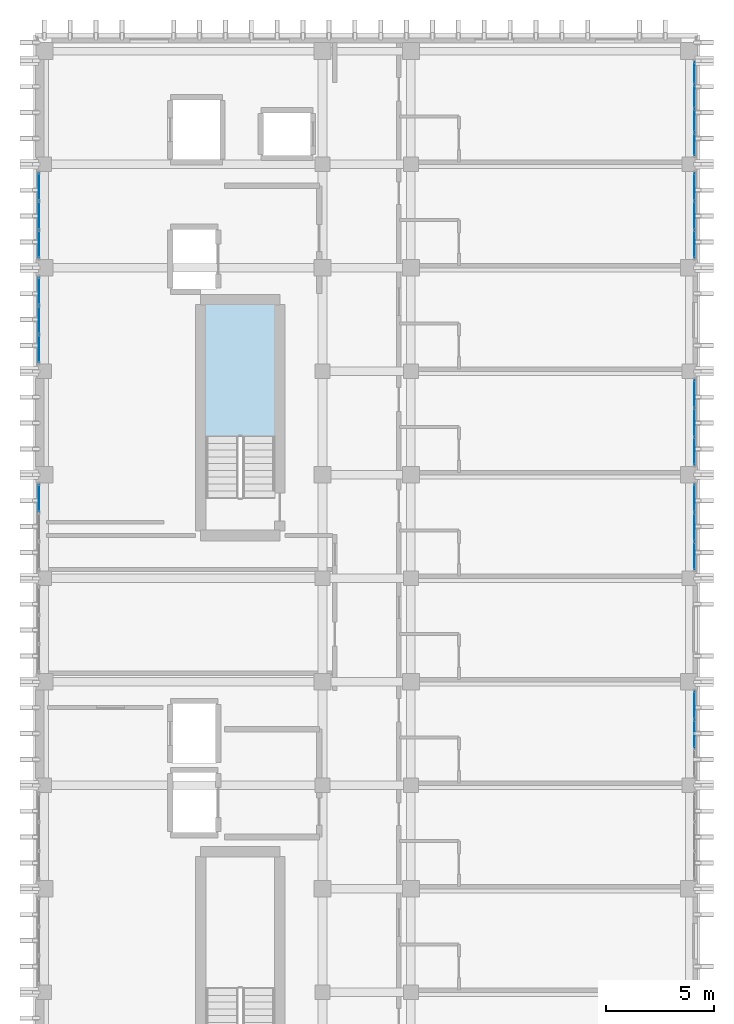
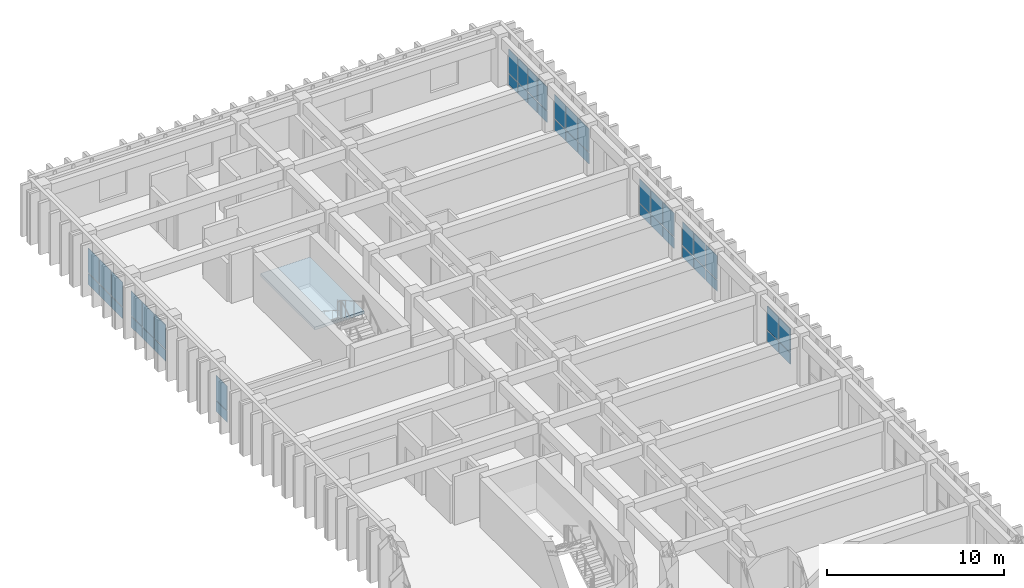
# One storey, part 54 of 68: 44 plates, 1 slab, 9 elements without a shape of their own.
"""IFC4 building model written with IfcOpenShell, lengths in metres."""

from ifc_helpers import new_model, si_unit, direction, frame, origin, origin_2d, place, context, subcontext, project, spatial, polyline, rectangle, outline, extrude, material, layer, layer_set, type_object, element, aggregate, save


model = new_model("IFC4")

# Units and contexts
model_context = context("Model", 3, precision=1e-05, world=origin(), true_north=direction((0.0, 1.0)))
body_context = subcontext(model_context, "Body", "Model", "MODEL_VIEW")
ifc_project = project(units=[si_unit("LENGTHUNIT", "METRE"), si_unit("AREAUNIT", "SQUARE_METRE"), si_unit("VOLUMEUNIT", "CUBIC_METRE"), si_unit("PLANEANGLEUNIT", "RADIAN"), si_unit("MASSUNIT", "GRAM", prefix="KILO")], contexts=[model_context])

# Site, building, storey
site_placement = place(None, origin())
site = spatial("IfcSite", under=ifc_project, at=site_placement, CompositionType="ELEMENT")
building_placement = place(site_placement, origin())
building = spatial("IfcBuilding", under=site, at=building_placement, Name="Nakhvara Creek Congress Hotel", CompositionType="ELEMENT")
storey_placement = place(building_placement, frame((0.0, 0.0, 24.60009765625)))
storey = spatial("IfcBuildingStorey", under=building, at=storey_placement, Name="L05", CompositionType="ELEMENT", Elevation=24.60009765625)

# Curtain wall, plates
ifc_material_1 = material(Name="Bronze-anodised aluminium AW-6063-T6 and double-silver low-E glass", Category="aluminium")
ifc_layer_1 = layer(ifc_material_1, 0.199951171875)
ifc_layer_set_1 = layer_set([ifc_layer_1], Name="Bronze-anodised aluminium AW-6063-T6 and double-silver low-E glass")
curtain_wall_type = type_object("IfcCurtainWallType", Name="CW-HTL-UNIT", PredefinedType="USERDEFINED", material=ifc_layer_set_1)
curtain_wall_1_placement = place(storey_placement, origin())
curtain_wall_1 = element("IfcCurtainWall", 1, at=curtain_wall_1_placement, inside=storey, type_object=curtain_wall_type, Name="Curtain Wall CW222", ObjectType="UNITISED", PredefinedType="USERDEFINED")
ifc_material_2 = material(Name="Double-silver solar-control low-E insulated glass", Category="glass")
plate_type_1 = type_object("IfcPlateType", Name="PNL-GLZ-120X250", PredefinedType="CURTAIN_PANEL", material=ifc_material_2)
plate_1_placement = place(storey_placement, frame((179.60009765625, 104.50537109375, 0.06494140625), z_axis=(0.0, 0.0, 1.0), x_axis=(0.0, -1.0, 0.0)))
plate_1 = element("IfcPlate", 2, at=plate_1_placement, type_object=plate_type_1, Name="CW222 panel 1.1", PredefinedType="CURTAIN_PANEL", context=body_context, shape_type="SweptSolid", body=[
    extrude(rectangle(XDim=1.249267578125, YDim=0.028076171875, at=origin_2d()), origin(), (0.0, 0.0, 1.0), 0.75244140625),
])
plate_2_placement = place(storey_placement, frame((179.60009765625, 104.50537109375, 0.88232421875), z_axis=(0.0, 0.0, 1.0), x_axis=(0.0, -1.0, 0.0)))
plate_2 = element("IfcPlate", 3, at=plate_2_placement, type_object=plate_type_1, Name="CW222 panel 1.2", PredefinedType="CURTAIN_PANEL", context=body_context, shape_type="SweptSolid", body=[
    extrude(rectangle(XDim=1.249267578125, YDim=0.028076171875, at=origin_2d()), origin(), (0.0, 0.0, 1.0), 1.634521484375),
])
plate_3_placement = place(storey_placement, frame((179.60009765625, 103.175048828125, 0.06494140625), z_axis=(0.0, 0.0, 1.0), x_axis=(0.0, -1.0, 0.0)))
plate_3 = element("IfcPlate", 4, at=plate_3_placement, type_object=plate_type_1, Name="CW222 panel 2.1", PredefinedType="CURTAIN_PANEL", context=body_context, shape_type="SweptSolid", body=[
    extrude(rectangle(XDim=1.28173828125, YDim=0.028076171875, at=origin_2d()), origin(), (0.0, 0.0, 1.0), 0.75244140625),
])
plate_4_placement = place(storey_placement, frame((179.60009765625, 103.175048828125, 0.88232421875), z_axis=(0.0, 0.0, 1.0), x_axis=(0.0, -1.0, 0.0)))
plate_4 = element("IfcPlate", 5, at=plate_4_placement, type_object=plate_type_1, Name="CW222 panel 2.2", PredefinedType="CURTAIN_PANEL", context=body_context, shape_type="SweptSolid", body=[
    extrude(rectangle(XDim=1.28173828125, YDim=0.028076171875, at=origin_2d()), origin(), (0.0, 0.0, 1.0), 1.634521484375),
])
plate_5_placement = place(storey_placement, frame((179.60009765625, 101.844482421875, 0.06494140625), z_axis=(0.0, 0.0, 1.0), x_axis=(0.0, -1.0, 0.0)))
plate_5 = element("IfcPlate", 6, at=plate_5_placement, type_object=plate_type_1, Name="CW222 panel 3.1", PredefinedType="CURTAIN_PANEL", context=body_context, shape_type="SweptSolid", body=[
    extrude(rectangle(XDim=1.249267578125, YDim=0.028076171875, at=origin_2d()), origin(), (0.0, 0.0, 1.0), 0.75244140625),
])
plate_6_placement = place(storey_placement, frame((179.60009765625, 101.844482421875, 0.88232421875), z_axis=(0.0, 0.0, 1.0), x_axis=(0.0, -1.0, 0.0)))
plate_6 = element("IfcPlate", 7, at=plate_6_placement, type_object=plate_type_1, Name="CW222 panel 3.2", PredefinedType="CURTAIN_PANEL", context=body_context, shape_type="SweptSolid", body=[
    extrude(rectangle(XDim=1.249267578125, YDim=0.028076171875, at=origin_2d()), origin(), (0.0, 0.0, 1.0), 1.634521484375),
])
aggregate(curtain_wall_1, [plate_1, plate_2, plate_3, plate_4, plate_5, plate_6])

curtain_wall_2_placement = place(storey_placement, origin())
curtain_wall_2 = element("IfcCurtainWall", 8, at=curtain_wall_2_placement, inside=storey, type_object=curtain_wall_type, Name="Curtain Wall CW223", ObjectType="UNITISED", PredefinedType="USERDEFINED")
plate_7_placement = place(storey_placement, frame((149.199951171875, 104.50537109375, 0.06494140625), z_axis=(0.0, 0.0, 1.0), x_axis=(0.0, 1.0, 0.0)))
plate_7 = element("IfcPlate", 9, at=plate_7_placement, type_object=plate_type_1, Name="CW223 panel 3.1", PredefinedType="CURTAIN_PANEL", context=body_context, shape_type="SweptSolid", body=[
    extrude(rectangle(XDim=1.249267578125, YDim=0.028076171875, at=origin_2d()), origin(), (0.0, 0.0, 1.0), 0.75244140625),
])
plate_8_placement = place(storey_placement, frame((149.199951171875, 104.50537109375, 0.88232421875), z_axis=(0.0, 0.0, 1.0), x_axis=(0.0, 1.0, 0.0)))
plate_8 = element("IfcPlate", 10, at=plate_8_placement, type_object=plate_type_1, Name="CW223 panel 3.2", PredefinedType="CURTAIN_PANEL", context=body_context, shape_type="SweptSolid", body=[
    extrude(rectangle(XDim=1.249267578125, YDim=0.028076171875, at=origin_2d()), origin(), (0.0, 0.0, 1.0), 1.6845703125),
])
aggregate(curtain_wall_2, [plate_7, plate_8])

curtain_wall_3_placement = place(storey_placement, origin())
curtain_wall_3 = element("IfcCurtainWall", 11, at=curtain_wall_3_placement, inside=storey, type_object=curtain_wall_type, Name="Curtain Wall CW224", ObjectType="UNITISED", PredefinedType="USERDEFINED")
plate_9_placement = place(storey_placement, frame((179.60009765625, 109.35546875, 0.06494140625), z_axis=(0.0, 0.0, 1.0), x_axis=(0.0, -1.0, 0.0)))
plate_9 = element("IfcPlate", 12, at=plate_9_placement, type_object=plate_type_1, Name="CW224 panel 1.1", PredefinedType="CURTAIN_PANEL", context=body_context, shape_type="SweptSolid", body=[
    extrude(rectangle(XDim=1.249267578125, YDim=0.028076171875, at=origin_2d()), origin(), (0.0, 0.0, 1.0), 0.75244140625),
])
plate_10_placement = place(storey_placement, frame((179.60009765625, 109.35546875, 0.88232421875), z_axis=(0.0, 0.0, 1.0), x_axis=(0.0, -1.0, 0.0)))
plate_10 = element("IfcPlate", 13, at=plate_10_placement, type_object=plate_type_1, Name="CW224 panel 1.2", PredefinedType="CURTAIN_PANEL", context=body_context, shape_type="SweptSolid", body=[
    extrude(rectangle(XDim=1.249267578125, YDim=0.028076171875, at=origin_2d()), origin(), (0.0, 0.0, 1.0), 1.634521484375),
])
plate_11_placement = place(storey_placement, frame((179.60009765625, 108.02490234375, 0.06494140625), z_axis=(0.0, 0.0, 1.0), x_axis=(0.0, -1.0, 0.0)))
plate_11 = element("IfcPlate", 14, at=plate_11_placement, type_object=plate_type_1, Name="CW224 panel 2.1", PredefinedType="CURTAIN_PANEL", context=body_context, shape_type="SweptSolid", body=[
    extrude(rectangle(XDim=1.28173828125, YDim=0.028076171875, at=origin_2d()), origin(), (0.0, 0.0, 1.0), 0.75244140625),
])
plate_12_placement = place(storey_placement, frame((179.60009765625, 108.02490234375, 0.88232421875), z_axis=(0.0, 0.0, 1.0), x_axis=(0.0, -1.0, 0.0)))
plate_12 = element("IfcPlate", 15, at=plate_12_placement, type_object=plate_type_1, Name="CW224 panel 2.2", PredefinedType="CURTAIN_PANEL", context=body_context, shape_type="SweptSolid", body=[
    extrude(rectangle(XDim=1.28173828125, YDim=0.028076171875, at=origin_2d()), origin(), (0.0, 0.0, 1.0), 1.634521484375),
])
plate_13_placement = place(storey_placement, frame((179.60009765625, 106.694580078125, 0.06494140625), z_axis=(0.0, 0.0, 1.0), x_axis=(0.0, -1.0, 0.0)))
plate_13 = element("IfcPlate", 16, at=plate_13_placement, type_object=plate_type_1, Name="CW224 panel 3.1", PredefinedType="CURTAIN_PANEL", context=body_context, shape_type="SweptSolid", body=[
    extrude(rectangle(XDim=1.249267578125, YDim=0.028076171875, at=origin_2d()), origin(), (0.0, 0.0, 1.0), 0.75244140625),
])
plate_14_placement = place(storey_placement, frame((179.60009765625, 106.694580078125, 0.88232421875), z_axis=(0.0, 0.0, 1.0), x_axis=(0.0, -1.0, 0.0)))
plate_14 = element("IfcPlate", 17, at=plate_14_placement, type_object=plate_type_1, Name="CW224 panel 3.2", PredefinedType="CURTAIN_PANEL", context=body_context, shape_type="SweptSolid", body=[
    extrude(rectangle(XDim=1.249267578125, YDim=0.028076171875, at=origin_2d()), origin(), (0.0, 0.0, 1.0), 1.634521484375),
])
aggregate(curtain_wall_3, [plate_9, plate_10, plate_11, plate_12, plate_13, plate_14])

curtain_wall_4_placement = place(storey_placement, origin())
curtain_wall_4 = element("IfcCurtainWall", 18, at=curtain_wall_4_placement, inside=storey, type_object=curtain_wall_type, Name="Curtain Wall CW225", ObjectType="UNITISED", PredefinedType="USERDEFINED")
plate_15_placement = place(storey_placement, frame((149.199951171875, 111.444580078125, 0.06494140625), z_axis=(0.0, 0.0, 1.0), x_axis=(0.0, 1.0, 0.0)))
plate_15 = element("IfcPlate", 19, at=plate_15_placement, type_object=plate_type_1, Name="CW225 panel 1.1", PredefinedType="CURTAIN_PANEL", context=body_context, shape_type="SweptSolid", body=[
    extrude(rectangle(XDim=1.249267578125, YDim=0.028076171875, at=origin_2d()), origin(), (0.0, 0.0, 1.0), 0.75244140625),
])
plate_16_placement = place(storey_placement, frame((149.199951171875, 111.444580078125, 0.88232421875), z_axis=(0.0, 0.0, 1.0), x_axis=(0.0, 1.0, 0.0)))
plate_16 = element("IfcPlate", 20, at=plate_16_placement, type_object=plate_type_1, Name="CW225 panel 1.2", PredefinedType="CURTAIN_PANEL", context=body_context, shape_type="SweptSolid", body=[
    extrude(rectangle(XDim=1.249267578125, YDim=0.028076171875, at=origin_2d()), origin(), (0.0, 0.0, 1.0), 1.6845703125),
])
plate_17_placement = place(storey_placement, frame((149.199951171875, 112.77490234375, 0.06494140625), z_axis=(0.0, 0.0, 1.0), x_axis=(0.0, 1.0, 0.0)))
plate_17 = element("IfcPlate", 21, at=plate_17_placement, type_object=plate_type_1, Name="CW225 panel 2.1", PredefinedType="CURTAIN_PANEL", context=body_context, shape_type="SweptSolid", body=[
    extrude(rectangle(XDim=1.28173828125, YDim=0.028076171875, at=origin_2d()), origin(), (0.0, 0.0, 1.0), 0.75244140625),
])
plate_18_placement = place(storey_placement, frame((149.199951171875, 112.77490234375, 0.88232421875), z_axis=(0.0, 0.0, 1.0), x_axis=(0.0, 1.0, 0.0)))
plate_18 = element("IfcPlate", 22, at=plate_18_placement, type_object=plate_type_1, Name="CW225 panel 2.2", PredefinedType="CURTAIN_PANEL", context=body_context, shape_type="SweptSolid", body=[
    extrude(rectangle(XDim=1.28173828125, YDim=0.028076171875, at=origin_2d()), origin(), (0.0, 0.0, 1.0), 1.6845703125),
])
plate_19_placement = place(storey_placement, frame((149.199951171875, 114.10546875, 0.06494140625), z_axis=(0.0, 0.0, 1.0), x_axis=(0.0, 1.0, 0.0)))
plate_19 = element("IfcPlate", 23, at=plate_19_placement, type_object=plate_type_1, Name="CW225 panel 3.1", PredefinedType="CURTAIN_PANEL", context=body_context, shape_type="SweptSolid", body=[
    extrude(rectangle(XDim=1.249267578125, YDim=0.028076171875, at=origin_2d()), origin(), (0.0, 0.0, 1.0), 0.75244140625),
])
plate_20_placement = place(storey_placement, frame((149.199951171875, 114.10546875, 0.88232421875), z_axis=(0.0, 0.0, 1.0), x_axis=(0.0, 1.0, 0.0)))
plate_20 = element("IfcPlate", 24, at=plate_20_placement, type_object=plate_type_1, Name="CW225 panel 3.2", PredefinedType="CURTAIN_PANEL", context=body_context, shape_type="SweptSolid", body=[
    extrude(rectangle(XDim=1.249267578125, YDim=0.028076171875, at=origin_2d()), origin(), (0.0, 0.0, 1.0), 1.6845703125),
])
aggregate(curtain_wall_4, [plate_15, plate_16, plate_17, plate_18, plate_19, plate_20])

curtain_wall_5_placement = place(storey_placement, origin())
curtain_wall_5 = element("IfcCurtainWall", 25, at=curtain_wall_5_placement, inside=storey, type_object=curtain_wall_type, Name="Curtain Wall CW226", ObjectType="UNITISED", PredefinedType="USERDEFINED")
plate_21_placement = place(storey_placement, frame((179.60009765625, 118.955322265625, 0.06494140625), z_axis=(0.0, 0.0, 1.0), x_axis=(0.0, -1.0, 0.0)))
plate_21 = element("IfcPlate", 26, at=plate_21_placement, type_object=plate_type_1, Name="CW226 panel 1.1", PredefinedType="CURTAIN_PANEL", context=body_context, shape_type="SweptSolid", body=[
    extrude(rectangle(XDim=1.249267578125, YDim=0.028076171875, at=origin_2d()), origin(), (0.0, 0.0, 1.0), 0.75244140625),
])
plate_22_placement = place(storey_placement, frame((179.60009765625, 118.955322265625, 0.88232421875), z_axis=(0.0, 0.0, 1.0), x_axis=(0.0, -1.0, 0.0)))
plate_22 = element("IfcPlate", 27, at=plate_22_placement, type_object=plate_type_1, Name="CW226 panel 1.2", PredefinedType="CURTAIN_PANEL", context=body_context, shape_type="SweptSolid", body=[
    extrude(rectangle(XDim=1.249267578125, YDim=0.028076171875, at=origin_2d()), origin(), (0.0, 0.0, 1.0), 1.634521484375),
])
plate_23_placement = place(storey_placement, frame((179.60009765625, 117.625, 0.06494140625), z_axis=(0.0, 0.0, 1.0), x_axis=(0.0, -1.0, 0.0)))
plate_23 = element("IfcPlate", 28, at=plate_23_placement, type_object=plate_type_1, Name="CW226 panel 2.1", PredefinedType="CURTAIN_PANEL", context=body_context, shape_type="SweptSolid", body=[
    extrude(rectangle(XDim=1.28173828125, YDim=0.028076171875, at=origin_2d()), origin(), (0.0, 0.0, 1.0), 0.75244140625),
])
plate_24_placement = place(storey_placement, frame((179.60009765625, 117.625, 0.88232421875), z_axis=(0.0, 0.0, 1.0), x_axis=(0.0, -1.0, 0.0)))
plate_24 = element("IfcPlate", 29, at=plate_24_placement, type_object=plate_type_1, Name="CW226 panel 2.2", PredefinedType="CURTAIN_PANEL", context=body_context, shape_type="SweptSolid", body=[
    extrude(rectangle(XDim=1.28173828125, YDim=0.028076171875, at=origin_2d()), origin(), (0.0, 0.0, 1.0), 1.634521484375),
])
plate_25_placement = place(storey_placement, frame((179.60009765625, 116.294677734375, 0.06494140625), z_axis=(0.0, 0.0, 1.0), x_axis=(0.0, -1.0, 0.0)))
plate_25 = element("IfcPlate", 30, at=plate_25_placement, type_object=plate_type_1, Name="CW226 panel 3.1", PredefinedType="CURTAIN_PANEL", context=body_context, shape_type="SweptSolid", body=[
    extrude(rectangle(XDim=1.249267578125, YDim=0.028076171875, at=origin_2d()), origin(), (0.0, 0.0, 1.0), 0.75244140625),
])
plate_26_placement = place(storey_placement, frame((179.60009765625, 116.294677734375, 0.88232421875), z_axis=(0.0, 0.0, 1.0), x_axis=(0.0, -1.0, 0.0)))
plate_26 = element("IfcPlate", 31, at=plate_26_placement, type_object=plate_type_1, Name="CW226 panel 3.2", PredefinedType="CURTAIN_PANEL", context=body_context, shape_type="SweptSolid", body=[
    extrude(rectangle(XDim=1.249267578125, YDim=0.028076171875, at=origin_2d()), origin(), (0.0, 0.0, 1.0), 1.634521484375),
])
aggregate(curtain_wall_5, [plate_21, plate_22, plate_23, plate_24, plate_25, plate_26])

curtain_wall_6_placement = place(storey_placement, origin())
curtain_wall_6 = element("IfcCurtainWall", 32, at=curtain_wall_6_placement, inside=storey, type_object=curtain_wall_type, Name="Curtain Wall CW227", ObjectType="UNITISED", PredefinedType="USERDEFINED")
plate_27_placement = place(storey_placement, frame((149.199951171875, 116.294677734375, 0.06494140625), z_axis=(0.0, 0.0, 1.0), x_axis=(0.0, 1.0, 0.0)))
plate_27 = element("IfcPlate", 33, at=plate_27_placement, type_object=plate_type_1, Name="CW227 panel 1.1", PredefinedType="CURTAIN_PANEL", context=body_context, shape_type="SweptSolid", body=[
    extrude(rectangle(XDim=1.249267578125, YDim=0.028076171875, at=origin_2d()), origin(), (0.0, 0.0, 1.0), 0.75244140625),
])
plate_28_placement = place(storey_placement, frame((149.199951171875, 116.294677734375, 0.88232421875), z_axis=(0.0, 0.0, 1.0), x_axis=(0.0, 1.0, 0.0)))
plate_28 = element("IfcPlate", 34, at=plate_28_placement, type_object=plate_type_1, Name="CW227 panel 1.2", PredefinedType="CURTAIN_PANEL", context=body_context, shape_type="SweptSolid", body=[
    extrude(rectangle(XDim=1.249267578125, YDim=0.028076171875, at=origin_2d()), origin(), (0.0, 0.0, 1.0), 1.6845703125),
])
plate_29_placement = place(storey_placement, frame((149.199951171875, 117.625, 0.06494140625), z_axis=(0.0, 0.0, 1.0), x_axis=(0.0, 1.0, 0.0)))
plate_29 = element("IfcPlate", 35, at=plate_29_placement, type_object=plate_type_1, Name="CW227 panel 2.1", PredefinedType="CURTAIN_PANEL", context=body_context, shape_type="SweptSolid", body=[
    extrude(rectangle(XDim=1.28173828125, YDim=0.028076171875, at=origin_2d()), origin(), (0.0, 0.0, 1.0), 0.75244140625),
])
plate_30_placement = place(storey_placement, frame((149.199951171875, 117.625, 0.88232421875), z_axis=(0.0, 0.0, 1.0), x_axis=(0.0, 1.0, 0.0)))
plate_30 = element("IfcPlate", 36, at=plate_30_placement, type_object=plate_type_1, Name="CW227 panel 2.2", PredefinedType="CURTAIN_PANEL", context=body_context, shape_type="SweptSolid", body=[
    extrude(rectangle(XDim=1.28173828125, YDim=0.028076171875, at=origin_2d()), origin(), (0.0, 0.0, 1.0), 1.6845703125),
])
plate_31_placement = place(storey_placement, frame((149.199951171875, 118.955322265625, 0.06494140625), z_axis=(0.0, 0.0, 1.0), x_axis=(0.0, 1.0, 0.0)))
plate_31 = element("IfcPlate", 37, at=plate_31_placement, type_object=plate_type_1, Name="CW227 panel 3.1", PredefinedType="CURTAIN_PANEL", context=body_context, shape_type="SweptSolid", body=[
    extrude(rectangle(XDim=1.249267578125, YDim=0.028076171875, at=origin_2d()), origin(), (0.0, 0.0, 1.0), 0.75244140625),
])
plate_32_placement = place(storey_placement, frame((149.199951171875, 118.955322265625, 0.88232421875), z_axis=(0.0, 0.0, 1.0), x_axis=(0.0, 1.0, 0.0)))
plate_32 = element("IfcPlate", 38, at=plate_32_placement, type_object=plate_type_1, Name="CW227 panel 3.2", PredefinedType="CURTAIN_PANEL", context=body_context, shape_type="SweptSolid", body=[
    extrude(rectangle(XDim=1.249267578125, YDim=0.028076171875, at=origin_2d()), origin(), (0.0, 0.0, 1.0), 1.6845703125),
])
aggregate(curtain_wall_6, [plate_27, plate_28, plate_29, plate_30, plate_31, plate_32])

curtain_wall_7_placement = place(storey_placement, origin())
curtain_wall_7 = element("IfcCurtainWall", 39, at=curtain_wall_7_placement, inside=storey, type_object=curtain_wall_type, Name="Curtain Wall CW220", ObjectType="UNITISED", PredefinedType="USERDEFINED")
ifc_material_3 = material(Name="Back-insulated bronze spandrel glass panel", Category="glass")
plate_type_2 = type_object("IfcPlateType", Name="PNL-SPN-120X080", PredefinedType="CURTAIN_PANEL", material=ifc_material_3)
plate_33_placement = place(storey_placement, frame((179.60009765625, 94.905517578125, 0.06494140625), z_axis=(0.0, 0.0, 1.0), x_axis=(0.0, -1.0, 0.0)))
plate_33 = element("IfcPlate", 40, at=plate_33_placement, type_object=plate_type_2, Name="CW220 panel 1.1", PredefinedType="CURTAIN_PANEL", context=body_context, shape_type="SweptSolid", body=[
    extrude(rectangle(XDim=1.249267578125, YDim=0.0419921875, at=origin_2d()), origin(), (0.0, 0.0, 1.0), 0.75244140625),
])
plate_34_placement = place(storey_placement, frame((179.60009765625, 94.905517578125, 0.88232421875), z_axis=(0.0, 0.0, 1.0), x_axis=(0.0, -1.0, 0.0)))
plate_34 = element("IfcPlate", 41, at=plate_34_placement, type_object=plate_type_2, Name="CW220 panel 1.2", PredefinedType="CURTAIN_PANEL", context=body_context, shape_type="SweptSolid", body=[
    extrude(rectangle(XDim=1.249267578125, YDim=0.0419921875, at=origin_2d()), origin(), (0.0, 0.0, 1.0), 1.634521484375),
])
plate_35_placement = place(storey_placement, frame((179.60009765625, 93.574951171875, 0.06494140625), z_axis=(0.0, 0.0, 1.0), x_axis=(0.0, -1.0, 0.0)))
plate_35 = element("IfcPlate", 42, at=plate_35_placement, type_object=plate_type_2, Name="CW220 panel 2.1", PredefinedType="CURTAIN_PANEL", context=body_context, shape_type="SweptSolid", body=[
    extrude(rectangle(XDim=1.28173828125, YDim=0.0419921875, at=origin_2d()), origin(), (0.0, 0.0, 1.0), 0.75244140625),
])
plate_36_placement = place(storey_placement, frame((179.60009765625, 93.574951171875, 0.88232421875), z_axis=(0.0, 0.0, 1.0), x_axis=(0.0, -1.0, 0.0)))
plate_36 = element("IfcPlate", 43, at=plate_36_placement, type_object=plate_type_2, Name="CW220 panel 2.2", PredefinedType="CURTAIN_PANEL", context=body_context, shape_type="SweptSolid", body=[
    extrude(rectangle(XDim=1.28173828125, YDim=0.0419921875, at=origin_2d()), origin(), (0.0, 0.0, 1.0), 1.634521484375),
])
aggregate(curtain_wall_7, [plate_33, plate_34, plate_35, plate_36])

curtain_wall_8_placement = place(storey_placement, origin())
curtain_wall_8 = element("IfcCurtainWall", 44, at=curtain_wall_8_placement, inside=storey, type_object=curtain_wall_type, Name="Curtain Wall CW228", ObjectType="UNITISED", PredefinedType="USERDEFINED")
plate_37_placement = place(storey_placement, frame((179.60009765625, 124.22802734375, 0.06494140625), z_axis=(0.0, 0.0, 1.0), x_axis=(0.0, -1.0, 0.0)))
plate_37 = element("IfcPlate", 45, at=plate_37_placement, type_object=plate_type_2, Name="CW228 panel 1.1", PredefinedType="CURTAIN_PANEL", context=body_context, shape_type="SweptSolid", body=[
    extrude(rectangle(XDim=1.013671875, YDim=0.0419921875, at=origin_2d()), origin(), (0.0, 0.0, 1.0), 0.75244140625),
])
plate_38_placement = place(storey_placement, frame((179.60009765625, 124.22802734375, 0.88232421875), z_axis=(0.0, 0.0, 1.0), x_axis=(0.0, -1.0, 0.0)))
plate_38 = element("IfcPlate", 46, at=plate_38_placement, type_object=plate_type_2, Name="CW228 panel 1.2", PredefinedType="CURTAIN_PANEL", context=body_context, shape_type="SweptSolid", body=[
    extrude(rectangle(XDim=1.013671875, YDim=0.0419921875, at=origin_2d()), origin(), (0.0, 0.0, 1.0), 1.634521484375),
])
plate_39_placement = place(storey_placement, frame((179.60009765625, 123.133056640625, 0.06494140625), z_axis=(0.0, 0.0, 1.0), x_axis=(0.0, -1.0, 0.0)))
plate_39 = element("IfcPlate", 47, at=plate_39_placement, type_object=plate_type_2, Name="CW228 panel 2.1", PredefinedType="CURTAIN_PANEL", context=body_context, shape_type="SweptSolid", body=[
    extrude(rectangle(XDim=1.046142578125, YDim=0.0419921875, at=origin_2d()), origin(), (0.0, 0.0, 1.0), 0.75244140625),
])
plate_40_placement = place(storey_placement, frame((179.60009765625, 123.133056640625, 0.88232421875), z_axis=(0.0, 0.0, 1.0), x_axis=(0.0, -1.0, 0.0)))
plate_40 = element("IfcPlate", 48, at=plate_40_placement, type_object=plate_type_2, Name="CW228 panel 2.2", PredefinedType="CURTAIN_PANEL", context=body_context, shape_type="SweptSolid", body=[
    extrude(rectangle(XDim=1.046142578125, YDim=0.0419921875, at=origin_2d()), origin(), (0.0, 0.0, 1.0), 1.634521484375),
])
plate_41_placement = place(storey_placement, frame((179.60009765625, 122.02197265625, 0.06494140625), z_axis=(0.0, 0.0, 1.0), x_axis=(0.0, -1.0, 0.0)))
plate_41 = element("IfcPlate", 49, at=plate_41_placement, type_object=plate_type_2, Name="CW228 panel 3.1", PredefinedType="CURTAIN_PANEL", context=body_context, shape_type="SweptSolid", body=[
    extrude(rectangle(XDim=1.046142578125, YDim=0.0419921875, at=origin_2d()), origin(), (0.0, 0.0, 1.0), 0.75244140625),
])
plate_42_placement = place(storey_placement, frame((179.60009765625, 122.02197265625, 0.88232421875), z_axis=(0.0, 0.0, 1.0), x_axis=(0.0, -1.0, 0.0)))
plate_42 = element("IfcPlate", 50, at=plate_42_placement, type_object=plate_type_2, Name="CW228 panel 3.2", PredefinedType="CURTAIN_PANEL", context=body_context, shape_type="SweptSolid", body=[
    extrude(rectangle(XDim=1.046142578125, YDim=0.0419921875, at=origin_2d()), origin(), (0.0, 0.0, 1.0), 1.634521484375),
])
plate_43_placement = place(storey_placement, frame((179.60009765625, 120.9267578125, 0.06494140625), z_axis=(0.0, 0.0, 1.0), x_axis=(0.0, -1.0, 0.0)))
plate_43 = element("IfcPlate", 51, at=plate_43_placement, type_object=plate_type_2, Name="CW228 panel 4.1", PredefinedType="CURTAIN_PANEL", context=body_context, shape_type="SweptSolid", body=[
    extrude(rectangle(XDim=1.013671875, YDim=0.0419921875, at=origin_2d()), origin(), (0.0, 0.0, 1.0), 0.75244140625),
])
plate_44_placement = place(storey_placement, frame((179.60009765625, 120.9267578125, 0.88232421875), z_axis=(0.0, 0.0, 1.0), x_axis=(0.0, -1.0, 0.0)))
plate_44 = element("IfcPlate", 52, at=plate_44_placement, type_object=plate_type_2, Name="CW228 panel 4.2", PredefinedType="CURTAIN_PANEL", context=body_context, shape_type="SweptSolid", body=[
    extrude(rectangle(XDim=1.013671875, YDim=0.0419921875, at=origin_2d()), origin(), (0.0, 0.0, 1.0), 1.634521484375),
])
aggregate(curtain_wall_8, [plate_37, plate_38, plate_39, plate_40, plate_41, plate_42, plate_43, plate_44])

# Stair, slab
ifc_material_4 = material(Name="Concrete C40/50", Category="concrete")
stair_type = type_object("IfcStairType", Name="ST-CORE-160", PredefinedType="HALF_TURN_STAIR", material=ifc_material_4)
stair_placement = place(storey_placement, origin())
stair = element("IfcStair", 53, at=stair_placement, inside=storey, type_object=stair_type, Name="L05 Protected Exit Stair ST02", PredefinedType="HALF_TURN_STAIR")
ifc_layer_2 = layer(ifc_material_4, 0.199951171875)
ifc_layer_set_2 = layer_set([ifc_layer_2], Name="Concrete C40/50")
slab_type = type_object("IfcSlabType", Name="SL-LAND-200", PredefinedType="LANDING", material=ifc_layer_set_2)
slab_placement = place(storey_placement, frame((0.0, 0.0, 1.599853515625)))
slab = element("IfcSlab", 54, at=slab_placement, type_object=slab_type, Name="ST02 landing 1", PredefinedType="LANDING", context=body_context, shape_type="SweptSolid", body=[
    extrude(outline(polyline([(160.14990234375, 107.375), (160.14990234375, 113.5), (156.919921875, 113.5), (156.919921875, 107.375), (160.14990234375, 107.375)])), origin(), (0.0, 0.0, 1.0), 0.199951171875),
])
aggregate(stair, [slab])

save(model, "model.ifc")
